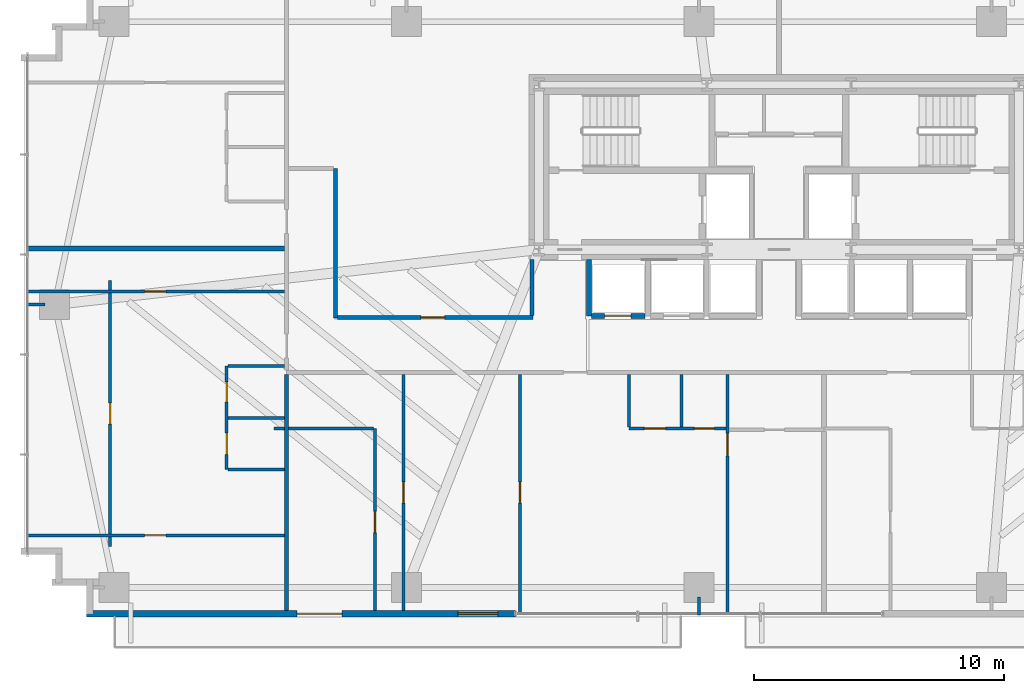
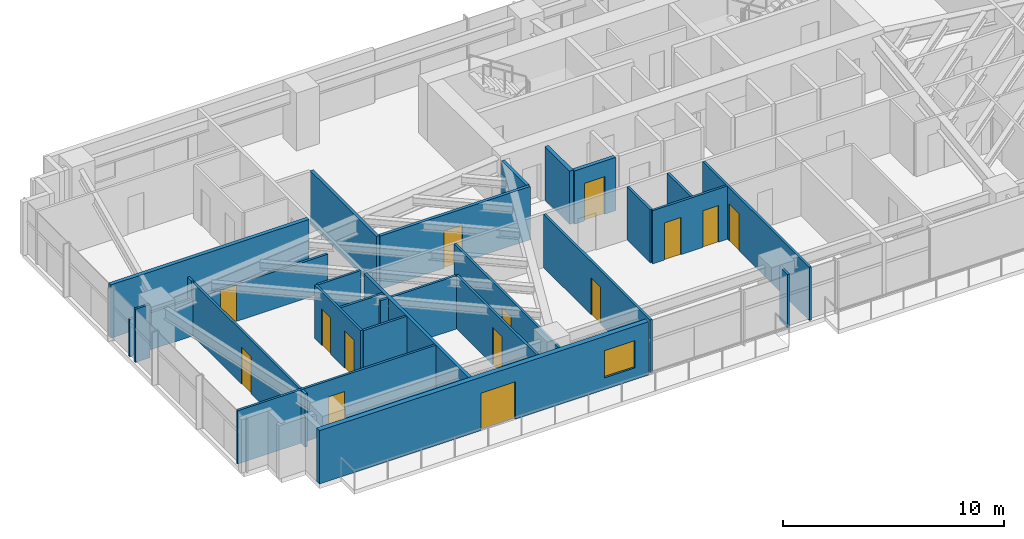
# One storey, part 19 of 25: 28 walls, 14 doors, 1 window, 15 openings.
"""IFC4 building model written with IfcOpenShell, lengths in metres."""

from ifc_helpers import new_model, si_unit, direction, frame, frame_2d, origin, place, context, subcontext, project, spatial, rectangle, extrude, source, transform, mapped, material, layer, layer_set, type_object, type_shapes, element, fill, save


model = new_model("IFC4")

# Units and contexts
model_context = context("Model", 3, precision=1e-05, world=origin(), true_north=direction((0.0, 1.0)))
body_context = subcontext(model_context, "Body", "Model", "MODEL_VIEW")
ifc_project = project(units=[si_unit("LENGTHUNIT", "METRE"), si_unit("AREAUNIT", "SQUARE_METRE"), si_unit("VOLUMEUNIT", "CUBIC_METRE"), si_unit("PLANEANGLEUNIT", "RADIAN"), si_unit("MASSUNIT", "GRAM", prefix="KILO")], contexts=[model_context])

# Site, building, storey
site_placement = place(None, origin())
site = spatial("IfcSite", under=ifc_project, at=site_placement, CompositionType="ELEMENT")
building_placement = place(site_placement, origin())
building = spatial("IfcBuilding", under=site, at=building_placement, Name="Astriad Promenade Condominiums", CompositionType="ELEMENT")
storey_placement = place(building_placement, frame((0.0, 0.0, 32.60009765625)))
storey = spatial("IfcBuildingStorey", under=building, at=storey_placement, Name="L08", CompositionType="ELEMENT", Elevation=32.60009765625)

# Walls
ifc_material_1 = material(Name="Fire-Rated Gypsum Partition")
ifc_layer_1 = layer(ifc_material_1, 0.159912109375)
ifc_layer_set_1 = layer_set([ifc_layer_1], Name="Fire-Rated Gypsum Partition")
wall_type_1 = type_object("IfcWallType", Name="WALL-CORR-160", PredefinedType="PARTITIONING", material=ifc_layer_set_1)
wall_1_placement = place(storey_placement, frame((16.300048828125, 2.9619140625, 0.0), z_axis=(0.0, 0.0, 1.0), x_axis=(0.0, 1.0, 0.0)))
element("IfcWall", 1, at=wall_1_placement, inside=storey, type_object=wall_type_1, Name="PT-COR-W-L08", PredefinedType="PARTITIONING", context=body_context, shape_type="SweptSolid", body=[
    extrude(rectangle(XDim=9.446044921875, YDim=0.159912109375, at=frame_2d((4.72314453125, 0.0))), origin(), (0.0, 0.0, 1.0), 2.93994140625),
])
wall_2_placement = place(storey_placement, frame((18.25, 14.659912109375, 0.0), z_axis=(0.0, 0.0, 1.0), x_axis=(0.0, 1.0, 0.0)))
element("IfcWall", 2, at=wall_2_placement, inside=storey, type_object=wall_type_1, Name="PT-WALC-E-L08", PredefinedType="PARTITIONING", context=body_context, shape_type="SweptSolid", body=[
    extrude(rectangle(XDim=5.989990234375, YDim=0.159912109375, at=frame_2d((2.9951171875, 0.0))), origin(), (0.0, 0.0, 1.0), 2.93994140625),
])

# Wall, opening, door
wall_3_placement = place(storey_placement, frame((18.33203125, 14.679931640625, 0.0), z_axis=(0.0, 0.0, 1.0), x_axis=(1.0, 0.0, 0.0)))
wall_3 = element("IfcWall", 3, at=wall_3_placement, inside=storey, type_object=wall_type_1, Name="PT-FLK-NW-L08", PredefinedType="PARTITIONING", context=body_context, shape_type="SweptSolid", body=[
    extrude(rectangle(XDim=7.827880859375, YDim=0.159912109375, at=frame_2d((3.9140625, 0.0))), origin(), (0.0, 0.0, 1.0), 2.93994140625),
])
opening_1_placement = place(wall_3_placement, frame((3.337890625, 0.0, 0.0)))
opening_1 = element("IfcOpeningElement", 4, at=opening_1_placement, cuts=wall_3, Name="Opening FD60-APT-095", PredefinedType="OPENING", context=body_context, shape_type="SweptSolid", body=[
    extrude(rectangle(XDim=0.949951171875, YDim=2.06005859375, at=frame_2d((0.47509765625, 1.030029296875))), frame((0.0, 0.08984375, 0.0), z_axis=(0.0, -1.0, 0.0), x_axis=(1.0, 0.0, 0.0)), (0.0, 0.0, 1.0), 0.179931640625),
])
ifc_material_2 = material(Name="Solid-Core Acoustic Timber Residence Entry Door", Category="wood")
door_type_1 = type_object("IfcDoorType", Name="FD60-APT-095", OperationType="NOTDEFINED", PredefinedType="DOOR", material=ifc_material_2)
shared_shape_1 = source(origin(), body_context, "Body", "SweptSolid", [
    extrude(rectangle(XDim=0.949951171875, YDim=2.06005859375, at=frame_2d((0.47509765625, 1.030029296875))), frame((0.0, 0.02490234375, 0.0), z_axis=(0.0, -1.0, 0.0), x_axis=(1.0, 0.0, 0.0)), (0.0, 0.0, 1.0), 0.050048828125),
])
type_shapes(door_type_1, [shared_shape_1])
door_1_placement = place(opening_1_placement, origin())
door_1 = element("IfcDoor", 5, at=door_1_placement, inside=storey, type_object=door_type_1, Name="D-NWA-L08", OperationType="SINGLE_SWING_LEFT", OverallHeight=2.06005859375, OverallWidth=0.949951171875, PredefinedType="DOOR", context=body_context, shape_type="MappedRepresentation", body=[
    mapped(shared_shape_1, transform((0.0, 0.0, 0.0), scale=1.0)),
])
fill(opening_1, door_1)

# Walls
wall_4_placement = place(storey_placement, frame((26.1201171875, 14.761962890625, 0.0), z_axis=(0.0, 0.0, 1.0), x_axis=(0.0, 1.0, 0.0)))
element("IfcWall", 6, at=wall_4_placement, inside=storey, type_object=wall_type_1, Name="PT-WSPUR-W-L08", PredefinedType="PARTITIONING", context=body_context, shape_type="SweptSolid", body=[
    extrude(rectangle(XDim=2.236083984375, YDim=0.159912109375, at=frame_2d((1.1181640625, 0.0))), origin(), (0.0, 0.0, 1.0), 2.93994140625),
])
ifc_material_3 = material(Name="Acoustic Double-Stud Gypsum Partition")
ifc_layer_2 = layer(ifc_material_3, 0.199951171875)
ifc_layer_set_2 = layer_set([ifc_layer_2], Name="Acoustic Double-Stud Gypsum Partition")
wall_type_2 = type_object("IfcWallType", Name="WALL-DEMISING-200", PredefinedType="PARTITIONING", material=ifc_layer_set_2)
wall_5_placement = place(storey_placement, frame((5.8798828125, 17.449951171875, 0.0), z_axis=(0.0, 0.0, 1.0), x_axis=(1.0, 0.0, 0.0)))
element("IfcWall", 7, at=wall_5_placement, inside=storey, type_object=wall_type_2, Name="PT-DEM-WW-L08", PredefinedType="PARTITIONING", context=body_context, shape_type="SweptSolid", body=[
    extrude(rectangle(XDim=10.338134765625, YDim=0.199951171875, at=frame_2d((5.1689453125, 0.0))), origin(), (0.0, 0.0, 1.0), 2.93994140625),
])

# Wall, openings, door, window
ifc_material_4 = material(Name="Precast concrete C50/60", Category="concrete")
ifc_layer_3 = layer(ifc_material_4, 0.260009765625)
ifc_layer_set_3 = layer_set([ifc_layer_3], Name="Precast concrete C50/60")
wall_type_3 = type_object("IfcWallType", Name="WALL-EXT-TWR-260", PredefinedType="STANDARD", material=ifc_layer_set_3)
wall_6_placement = place(storey_placement, frame((25.449951171875, 2.830078125, 0.0), z_axis=(0.0, 0.0, 1.0), x_axis=(-1.0, 0.0, 0.0)))
wall_6 = element("IfcWall", 8, at=wall_6_placement, inside=storey, type_object=wall_type_3, Name="W-EXT-L08-S2", PredefinedType="STANDARD", context=body_context, shape_type="SweptSolid", body=[
    extrude(rectangle(XDim=17.14990234375, YDim=0.260009765625, at=frame_2d((8.574951171875, 0.0))), origin(), (0.0, 0.0, 1.0), 2.93994140625),
])
opening_2_placement = place(wall_6_placement, frame((6.929931640625, 0.0, 0.0)))
opening_2 = element("IfcOpeningElement", 9, at=opening_2_placement, cuts=wall_6, Name="Opening BD-1822-SLD", PredefinedType="OPENING", context=body_context, shape_type="SweptSolid", body=[
    extrude(rectangle(XDim=1.800048828125, YDim=2.06005859375, at=frame_2d((0.89990234375, 1.030029296875))), frame((0.0, 0.139892578125, 0.0), z_axis=(0.0, -1.0, 0.0), x_axis=(1.0, 0.0, 0.0)), (0.0, 0.0, 1.0), 0.280029296875),
])
opening_3_placement = place(wall_6_placement, frame((0.699951171875, 0.0, 0.64990234375)))
opening_3 = element("IfcOpeningElement", 10, at=opening_3_placement, cuts=wall_6, Name="Opening WIN-TWR-1620", PredefinedType="OPENING", context=body_context, shape_type="SweptSolid", body=[
    extrude(rectangle(XDim=1.60009765625, YDim=1.5, at=frame_2d((0.800048828125, 0.75))), frame((0.0, 0.139892578125, 0.0), z_axis=(0.0, -1.0, 0.0), x_axis=(1.0, 0.0, 0.0)), (0.0, 0.0, 1.0), 0.280029296875),
])
ifc_material_5 = material(Name="Thermally Broken Aluminium Sliding Balcony Door", Category="aluminium")
door_type_2 = type_object("IfcDoorType", Name="BD-1822-SLD", OperationType="NOTDEFINED", PredefinedType="DOOR", material=ifc_material_5)
shared_shape_2 = source(origin(), body_context, "Body", "SweptSolid", [
    extrude(rectangle(XDim=1.800048828125, YDim=2.06005859375, at=frame_2d((0.89990234375, 1.030029296875))), frame((0.0, 0.02490234375, 0.0), z_axis=(0.0, -1.0, 0.0), x_axis=(1.0, 0.0, 0.0)), (0.0, 0.0, 1.0), 0.050048828125),
])
type_shapes(door_type_2, [shared_shape_2])
door_2_placement = place(opening_2_placement, origin())
door_2 = element("IfcDoor", 11, at=door_2_placement, inside=storey, type_object=door_type_2, Name="BD-L08-SW", OperationType="SLIDING_TO_LEFT", OverallHeight=2.06005859375, OverallWidth=1.800048828125, PredefinedType="DOOR", context=body_context, shape_type="MappedRepresentation", body=[
    mapped(shared_shape_2, transform((0.0, 0.0, 0.0), scale=1.0)),
])
fill(opening_2, door_2)
ifc_material_6 = material(Name="Dark Tinted Triple-Glazed Aluminium Window", Category="aluminium")
window_type = type_object("IfcWindowType", Name="WIN-TWR-1620", PartitioningType="SINGLE_PANEL", PredefinedType="WINDOW", material=ifc_material_6)
shared_shape_3 = source(origin(), body_context, "Body", "SweptSolid", [
    extrude(rectangle(XDim=1.60009765625, YDim=1.5, at=frame_2d((0.800048828125, 0.75))), frame((0.0, 0.030029296875, 0.0), z_axis=(0.0, -1.0, 0.0), x_axis=(1.0, 0.0, 0.0)), (0.0, 0.0, 1.0), 0.06005859375),
])
type_shapes(window_type, [shared_shape_3])
window_placement = place(opening_3_placement, origin())
window = element("IfcWindow", 12, at=window_placement, inside=storey, type_object=window_type, Name="WIN-L08-SW", OverallHeight=1.5, OverallWidth=1.60009765625, PartitioningType="SINGLE_PANEL", PredefinedType="WINDOW", context=body_context, shape_type="MappedRepresentation", body=[
    mapped(shared_shape_3, transform((0.0, 0.0, 0.0), scale=1.0)),
])
fill(opening_3, window)

# Wall, opening, door
ifc_material_7 = material(Name="Acoustic Metal-Stud Gypsum Partition")
ifc_layer_4 = layer(ifc_material_7, 0.1201171875)
ifc_layer_set_4 = layer_set([ifc_layer_4], Name="Acoustic Metal-Stud Gypsum Partition")
wall_type_4 = type_object("IfcWallType", Name="WALL-PART-120", PredefinedType="PARTITIONING", material=ifc_layer_set_4)
wall_7_placement = place(storey_placement, frame((33.944091796875, 2.780029296875, 0.0), z_axis=(0.0, 0.0, 1.0), x_axis=(0.0, 1.0, 0.0)))
wall_7 = element("IfcWall", 13, at=wall_7_placement, inside=storey, type_object=wall_type_4, Name="PT-L08-S1-BD1", PredefinedType="PARTITIONING", context=body_context, shape_type="SweptSolid", body=[
    extrude(rectangle(XDim=9.6279296875, YDim=0.1201171875, at=frame_2d((4.81396484375, 0.0))), origin(), (0.0, 0.0, 1.0), 2.93994140625),
])
opening_4_placement = place(wall_7_placement, frame((6.360107421875, 0.0, 0.0)))
opening_4 = element("IfcOpeningElement", 14, at=opening_4_placement, cuts=wall_7, Name="Opening D-INT-090", PredefinedType="OPENING", context=body_context, shape_type="SweptSolid", body=[
    extrude(rectangle(XDim=0.89990234375, YDim=2.050048828125, at=frame_2d((0.449951171875, 1.02490234375))), frame((0.0, 0.070068359375, 0.0), z_axis=(0.0, -1.0, 0.0), x_axis=(1.0, 0.0, 0.0)), (0.0, 0.0, 1.0), 0.14013671875),
])
ifc_material_8 = material(Name="Painted Solid-Core Timber Bedroom Door", Category="wood")
door_type_3 = type_object("IfcDoorType", Name="D-INT-090", OperationType="NOTDEFINED", PredefinedType="DOOR", material=ifc_material_8)
shared_shape_4 = source(origin(), body_context, "Body", "SweptSolid", [
    extrude(rectangle(XDim=0.89990234375, YDim=2.050048828125, at=frame_2d((0.449951171875, 1.02490234375))), frame((0.0, 0.02490234375, 0.0), z_axis=(0.0, -1.0, 0.0), x_axis=(1.0, 0.0, 0.0)), (0.0, 0.0, 1.0), 0.050048828125),
])
type_shapes(door_type_3, [shared_shape_4])
door_3_placement = place(opening_4_placement, origin())
door_3 = element("IfcDoor", 15, at=door_3_placement, inside=storey, type_object=door_type_3, Name="D-BD1-L08-S1", OperationType="SINGLE_SWING_RIGHT", OverallHeight=2.050048828125, OverallWidth=0.89990234375, PredefinedType="DOOR", context=body_context, shape_type="MappedRepresentation", body=[
    mapped(shared_shape_4, transform((0.0, 0.0, 0.0), scale=1.0)),
])
fill(opening_4, door_3)

# Wall, openings, doors
wall_8_placement = place(storey_placement, frame((29.993896484375, 10.239990234375, 0.0), z_axis=(0.0, 0.0, 1.0), x_axis=(1.0, 0.0, 0.0)))
wall_8 = element("IfcWall", 16, at=wall_8_placement, inside=storey, type_object=wall_type_4, Name="PT-L08-S1-PS", PredefinedType="PARTITIONING", context=body_context, shape_type="SweptSolid", body=[
    extrude(rectangle(XDim=3.88818359375, YDim=0.1201171875, at=frame_2d((1.944091796875, 0.0))), origin(), (0.0, 0.0, 1.0), 2.93994140625),
])
opening_5_placement = place(wall_8_placement, frame((0.625, 0.0, 0.0)))
opening_5 = element("IfcOpeningElement", 17, at=opening_5_placement, cuts=wall_8, Name="Opening D-INT-085", PredefinedType="OPENING", context=body_context, shape_type="SweptSolid", body=[
    extrude(rectangle(XDim=0.85009765625, YDim=2.050048828125, at=frame_2d((0.425048828125, 1.02490234375))), frame((0.0, 0.070068359375, 0.0), z_axis=(0.0, -1.0, 0.0), x_axis=(1.0, 0.0, 0.0)), (0.0, 0.0, 1.0), 0.14013671875),
])
opening_6_placement = place(wall_8_placement, frame((2.625, 0.0, 0.0)))
opening_6 = element("IfcOpeningElement", 18, at=opening_6_placement, cuts=wall_8, Name="Opening D-WET-080", PredefinedType="OPENING", context=body_context, shape_type="SweptSolid", body=[
    extrude(rectangle(XDim=0.800048828125, YDim=2.02001953125, at=frame_2d((0.39990234375, 1.010009765625))), frame((0.0, 0.070068359375, 0.0), z_axis=(0.0, -1.0, 0.0), x_axis=(1.0, 0.0, 0.0)), (0.0, 0.0, 1.0), 0.14013671875),
])
ifc_material_9 = material(Name="Moisture-Resistant Timber Bathroom Door", Category="wood")
door_type_4 = type_object("IfcDoorType", Name="D-WET-080", OperationType="NOTDEFINED", PredefinedType="DOOR", material=ifc_material_9)
shared_shape_5 = source(origin(), body_context, "Body", "SweptSolid", [
    extrude(rectangle(XDim=0.800048828125, YDim=2.02001953125, at=frame_2d((0.39990234375, 1.010009765625))), frame((0.0, 0.02490234375, 0.0), z_axis=(0.0, -1.0, 0.0), x_axis=(1.0, 0.0, 0.0)), (0.0, 0.0, 1.0), 0.050048828125),
])
type_shapes(door_type_4, [shared_shape_5])
door_4_placement = place(opening_6_placement, origin())
door_4 = element("IfcDoor", 19, at=door_4_placement, inside=storey, type_object=door_type_4, Name="D-BTH-L08-S1", OperationType="SINGLE_SWING_RIGHT", OverallHeight=2.02001953125, OverallWidth=0.800048828125, PredefinedType="DOOR", context=body_context, shape_type="MappedRepresentation", body=[
    mapped(shared_shape_5, transform((0.0, 0.0, 0.0), scale=1.0)),
])
fill(opening_6, door_4)
ifc_material_10 = material(Name="Painted Solid-Core Timber Room Door", Category="wood")
door_type_5 = type_object("IfcDoorType", Name="D-INT-085", OperationType="NOTDEFINED", PredefinedType="DOOR", material=ifc_material_10)
shared_shape_6 = source(origin(), body_context, "Body", "SweptSolid", [
    extrude(rectangle(XDim=0.85009765625, YDim=2.050048828125, at=frame_2d((0.425048828125, 1.02490234375))), frame((0.0, 0.02490234375, 0.0), z_axis=(0.0, -1.0, 0.0), x_axis=(1.0, 0.0, 0.0)), (0.0, 0.0, 1.0), 0.050048828125),
])
type_shapes(door_type_5, [shared_shape_6])
door_5_placement = place(opening_5_placement, origin())
door_5 = element("IfcDoor", 20, at=door_5_placement, inside=storey, type_object=door_type_5, Name="D-KIT-L08-S1", OperationType="SINGLE_SWING_LEFT", OverallHeight=2.050048828125, OverallWidth=0.85009765625, PredefinedType="DOOR", context=body_context, shape_type="MappedRepresentation", body=[
    mapped(shared_shape_6, transform((0.0, 0.0, 0.0), scale=1.0)),
])
fill(opening_5, door_5)

# Walls
for number, where, z_axis, x_axis, name in (
    (21, (32.093994140625, 10.302001953125, 0.0), (0.0, 0.0, 1.0), (0.0, 1.0, 0.0), "PT-L08-S1-PBK"),
    (22, (29.993896484375, 10.302001953125, 0.0), (0.0, 0.0, 1.0), (0.0, 1.0, 0.0), "PT-L08-S1-PKW"),
):
    element("IfcWall", number, at=place(storey_placement, frame(where, z_axis=z_axis, x_axis=x_axis)), inside=storey, type_object=wall_type_4, Name=name, PredefinedType="PARTITIONING", context=body_context, shape_type="SweptSolid", body=[
        extrude(rectangle(XDim=2.10595703125, YDim=0.1201171875, at=frame_2d((1.052978515625, 0.0))), origin(), (0.0, 0.0, 1.0), 2.93994140625),
    ])

# Wall, opening, door
wall_9_placement = place(storey_placement, frame((19.830078125, 2.9619140625, 0.0), z_axis=(0.0, 0.0, 1.0), x_axis=(0.0, 1.0, 0.0)))
wall_9 = element("IfcWall", 23, at=wall_9_placement, inside=storey, type_object=wall_type_4, Name="PT-L08-S1-EXV", PredefinedType="PARTITIONING", context=body_context, shape_type="SweptSolid", body=[
    extrude(rectangle(XDim=7.278076171875, YDim=0.1201171875, at=frame_2d((3.63916015625, 0.0))), origin(), (0.0, 0.0, 1.0), 2.93994140625),
])
opening_7_placement = place(wall_9_placement, frame((3.113037109375, 0.0, 0.0)))
opening_7 = element("IfcOpeningElement", 24, at=opening_7_placement, cuts=wall_9, Name="Opening D-INT-085", PredefinedType="OPENING", context=body_context, shape_type="SweptSolid", body=[
    extrude(rectangle(XDim=0.85009765625, YDim=2.050048828125, at=frame_2d((0.425048828125, 1.02490234375))), frame((0.0, 0.070068359375, 0.0), z_axis=(0.0, -1.0, 0.0), x_axis=(1.0, 0.0, 0.0)), (0.0, 0.0, 1.0), 0.14013671875),
])
door_6_placement = place(opening_7_placement, origin())
door_6 = element("IfcDoor", 25, at=door_6_placement, inside=storey, type_object=door_type_5, Name="D-EX-L08-S1", OperationType="SINGLE_SWING_RIGHT", OverallHeight=2.050048828125, OverallWidth=0.85009765625, PredefinedType="DOOR", context=body_context, shape_type="MappedRepresentation", body=[
    mapped(shared_shape_6, transform((0.0, 0.0, 0.0), scale=1.0)),
])
fill(opening_7, door_6)

# Walls
wall_10_placement = place(storey_placement, frame((15.800048828125, 10.239990234375, 0.0), z_axis=(0.0, 0.0, 1.0), x_axis=(1.0, 0.0, 0.0)))
element("IfcWall", 26, at=wall_10_placement, inside=storey, type_object=wall_type_4, Name="PT-L08-S1-EXH", PredefinedType="PARTITIONING", context=body_context, shape_type="SweptSolid", body=[
    extrude(rectangle(XDim=0.41796875, YDim=0.1201171875, at=frame_2d((0.208984375, 0.0))), origin(), (0.0, 0.0, 1.0), 2.93994140625),
])
wall_11_placement = place(storey_placement, frame((16.382080078125, 10.239990234375, 0.0), z_axis=(0.0, 0.0, 1.0), x_axis=(1.0, 0.0, 0.0)))
element("IfcWall", 27, at=wall_11_placement, inside=storey, type_object=wall_type_4, Name="PT-L08-S1-EXH-S2", PredefinedType="PARTITIONING", context=body_context, shape_type="SweptSolid", body=[
    extrude(rectangle(XDim=3.385986328125, YDim=0.1201171875, at=frame_2d((1.69287109375, 0.0))), origin(), (0.0, 0.0, 1.0), 2.93994140625),
])

# Wall, opening, door
wall_12_placement = place(storey_placement, frame((20.97998046875, 2.9619140625, 0.0), z_axis=(0.0, 0.0, 1.0), x_axis=(0.0, 1.0, 0.0)))
wall_12 = element("IfcWall", 28, at=wall_12_placement, inside=storey, type_object=wall_type_4, Name="PT-L08-S1-CAP1", PredefinedType="PARTITIONING", context=body_context, shape_type="SweptSolid", body=[
    extrude(rectangle(XDim=9.446044921875, YDim=0.1201171875, at=frame_2d((4.72314453125, 0.0))), origin(), (0.0, 0.0, 1.0), 2.93994140625),
])
opening_8_placement = place(wall_12_placement, frame((4.2880859375, 0.0, 0.0)))
opening_8 = element("IfcOpeningElement", 29, at=opening_8_placement, cuts=wall_12, Name="Opening D-INT-085", PredefinedType="OPENING", context=body_context, shape_type="SweptSolid", body=[
    extrude(rectangle(XDim=0.85009765625, YDim=2.050048828125, at=frame_2d((0.425048828125, 1.02490234375))), frame((0.0, 0.070068359375, 0.0), z_axis=(0.0, -1.0, 0.0), x_axis=(1.0, 0.0, 0.0)), (0.0, 0.0, 1.0), 0.14013671875),
])
door_7_placement = place(opening_8_placement, origin())
door_7 = element("IfcDoor", 30, at=door_7_placement, inside=storey, type_object=door_type_5, Name="D-CAP1-L08-S1", OperationType="SINGLE_SWING_LEFT", OverallHeight=2.050048828125, OverallWidth=0.85009765625, PredefinedType="DOOR", context=body_context, shape_type="MappedRepresentation", body=[
    mapped(shared_shape_6, transform((0.0, 0.0, 0.0), scale=1.0)),
])
fill(opening_8, door_7)

wall_13_placement = place(storey_placement, frame((25.639892578125, 2.780029296875, 0.0), z_axis=(0.0, 0.0, 1.0), x_axis=(0.0, 1.0, 0.0)))
wall_13 = element("IfcWall", 31, at=wall_13_placement, inside=storey, type_object=wall_type_4, Name="PT-L08-S1-CAP2", PredefinedType="PARTITIONING", context=body_context, shape_type="SweptSolid", body=[
    extrude(rectangle(XDim=9.6279296875, YDim=0.1201171875, at=frame_2d((4.81396484375, 0.0))), origin(), (0.0, 0.0, 1.0), 2.93994140625),
])
opening_9_placement = place(wall_13_placement, frame((4.469970703125, 0.0, 0.0)))
opening_9 = element("IfcOpeningElement", 32, at=opening_9_placement, cuts=wall_13, Name="Opening D-INT-085", PredefinedType="OPENING", context=body_context, shape_type="SweptSolid", body=[
    extrude(rectangle(XDim=0.85009765625, YDim=2.050048828125, at=frame_2d((0.425048828125, 1.02490234375))), frame((0.0, 0.070068359375, 0.0), z_axis=(0.0, -1.0, 0.0), x_axis=(1.0, 0.0, 0.0)), (0.0, 0.0, 1.0), 0.14013671875),
])
door_8_placement = place(opening_9_placement, origin())
door_8 = element("IfcDoor", 33, at=door_8_placement, inside=storey, type_object=door_type_5, Name="D-CAP2-L08-S1", OperationType="SINGLE_SWING_RIGHT", OverallHeight=2.050048828125, OverallWidth=0.85009765625, PredefinedType="DOOR", context=body_context, shape_type="MappedRepresentation", body=[
    mapped(shared_shape_6, transform((0.0, 0.0, 0.0), scale=1.0)),
])
fill(opening_9, door_8)

# Wall, openings, doors
wall_14_placement = place(storey_placement, frame((13.89990234375, 8.590087890625, 0.0), z_axis=(0.0, 0.0, 1.0), x_axis=(0.0, 1.0, 0.0)))
wall_14 = element("IfcWall", 34, at=wall_14_placement, inside=storey, type_object=wall_type_4, Name="PT-L08-W1-PV", PredefinedType="PARTITIONING", context=body_context, shape_type="SweptSolid", body=[
    extrude(rectangle(XDim=4.14990234375, YDim=0.1201171875, at=frame_2d((2.074951171875, 0.0))), origin(), (0.0, 0.0, 1.0), 2.93994140625),
])
opening_10_placement = place(wall_14_placement, frame((0.612060546875, 0.0, 0.0)))
opening_10 = element("IfcOpeningElement", 35, at=opening_10_placement, cuts=wall_14, Name="Opening D-INT-085", PredefinedType="OPENING", context=body_context, shape_type="SweptSolid", body=[
    extrude(rectangle(XDim=0.85009765625, YDim=2.050048828125, at=frame_2d((0.425048828125, 1.02490234375))), frame((0.0, 0.070068359375, 0.0), z_axis=(0.0, -1.0, 0.0), x_axis=(1.0, 0.0, 0.0)), (0.0, 0.0, 1.0), 0.14013671875),
])
opening_11_placement = place(wall_14_placement, frame((2.712890625, 0.0, 0.0)))
opening_11 = element("IfcOpeningElement", 36, at=opening_11_placement, cuts=wall_14, Name="Opening D-WET-080", PredefinedType="OPENING", context=body_context, shape_type="SweptSolid", body=[
    extrude(rectangle(XDim=0.800048828125, YDim=2.02001953125, at=frame_2d((0.39990234375, 1.010009765625))), frame((0.0, 0.070068359375, 0.0), z_axis=(0.0, -1.0, 0.0), x_axis=(1.0, 0.0, 0.0)), (0.0, 0.0, 1.0), 0.14013671875),
])
door_9_placement = place(opening_11_placement, origin())
door_9 = element("IfcDoor", 37, at=door_9_placement, inside=storey, type_object=door_type_4, Name="D-BTH-L08-W1", OperationType="SINGLE_SWING_LEFT", OverallHeight=2.02001953125, OverallWidth=0.800048828125, PredefinedType="DOOR", context=body_context, shape_type="MappedRepresentation", body=[
    mapped(shared_shape_5, transform((0.0, 0.0, 0.0), scale=1.0)),
])
fill(opening_11, door_9)
door_10_placement = place(opening_10_placement, origin())
door_10 = element("IfcDoor", 38, at=door_10_placement, inside=storey, type_object=door_type_5, Name="D-KIT-L08-W1", OperationType="SINGLE_SWING_RIGHT", OverallHeight=2.050048828125, OverallWidth=0.85009765625, PredefinedType="DOOR", context=body_context, shape_type="MappedRepresentation", body=[
    mapped(shared_shape_6, transform((0.0, 0.0, 0.0), scale=1.0)),
])
fill(opening_10, door_10)

# Walls
for number, where, z_axis, x_axis, name in (
    (39, (13.9619140625, 10.6650390625, 0.0), (0.0, 0.0, 1.0), (1.0, 0.0, 0.0), "PT-L08-W1-PM"),
    (40, (13.9619140625, 8.590087890625, 0.0), (0.0, 0.0, 1.0), (1.0, 0.0, 0.0), "PT-L08-W1-PS"),
    (41, (13.9619140625, 12.739990234375, 0.0), (0.0, 0.0, 1.0), (1.0, 0.0, 0.0), "PT-L08-W1-PN"),
):
    element("IfcWall", number, at=place(storey_placement, frame(where, z_axis=z_axis, x_axis=x_axis)), inside=storey, type_object=wall_type_4, Name=name, PredefinedType="PARTITIONING", context=body_context, shape_type="SweptSolid", body=[
        extrude(rectangle(XDim=2.256103515625, YDim=0.1201171875, at=frame_2d((1.1279296875, 0.0))), origin(), (0.0, 0.0, 1.0), 2.93994140625),
    ])

# Wall, opening, door
wall_15_placement = place(storey_placement, frame((5.8798828125, 5.966064453125, 0.0), z_axis=(0.0, 0.0, 1.0), x_axis=(1.0, 0.0, 0.0)))
wall_15 = element("IfcWall", 42, at=wall_15_placement, inside=storey, type_object=wall_type_4, Name="PT-L08-W1-WDS1", PredefinedType="PARTITIONING", context=body_context, shape_type="SweptSolid", body=[
    extrude(rectangle(XDim=10.338134765625, YDim=0.1201171875, at=frame_2d((5.1689453125, 0.0))), origin(), (0.0, 0.0, 1.0), 2.93994140625),
])
opening_12_placement = place(wall_15_placement, frame((4.735107421875, 0.0, 0.0)))
opening_12 = element("IfcOpeningElement", 43, at=opening_12_placement, cuts=wall_15, Name="Opening D-INT-085", PredefinedType="OPENING", context=body_context, shape_type="SweptSolid", body=[
    extrude(rectangle(XDim=0.85009765625, YDim=2.050048828125, at=frame_2d((0.425048828125, 1.02490234375))), frame((0.0, 0.070068359375, 0.0), z_axis=(0.0, -1.0, 0.0), x_axis=(1.0, 0.0, 0.0)), (0.0, 0.0, 1.0), 0.14013671875),
])
door_11_placement = place(opening_12_placement, origin())
door_11 = element("IfcDoor", 44, at=door_11_placement, inside=storey, type_object=door_type_5, Name="D-WDS1-L08-W1", OperationType="SINGLE_SWING_RIGHT", OverallHeight=2.050048828125, OverallWidth=0.85009765625, PredefinedType="DOOR", context=body_context, shape_type="MappedRepresentation", body=[
    mapped(shared_shape_6, transform((0.0, 0.0, 0.0), scale=1.0)),
])
fill(opening_12, door_11)

wall_16_placement = place(storey_placement, frame((5.8798828125, 15.721923828125, 0.0), z_axis=(0.0, 0.0, 1.0), x_axis=(1.0, 0.0, 0.0)))
wall_16 = element("IfcWall", 45, at=wall_16_placement, inside=storey, type_object=wall_type_4, Name="PT-L08-W1-WDN2", PredefinedType="PARTITIONING", context=body_context, shape_type="SweptSolid", body=[
    extrude(rectangle(XDim=10.338134765625, YDim=0.1201171875, at=frame_2d((5.1689453125, 0.0))), origin(), (0.0, 0.0, 1.0), 2.044921875),
])
opening_13_placement = place(wall_16_placement, frame((4.735107421875, 0.0, 0.0)))
opening_13 = element("IfcOpeningElement", 46, at=opening_13_placement, cuts=wall_16, Name="Opening D-LOW-085", PredefinedType="OPENING", context=body_context, shape_type="SweptSolid", body=[
    extrude(rectangle(XDim=0.85009765625, YDim=2.010009765625, at=frame_2d((0.425048828125, 1.0048828125))), frame((0.0, 0.070068359375, 0.0), z_axis=(0.0, -1.0, 0.0), x_axis=(1.0, 0.0, 0.0)), (0.0, 0.0, 1.0), 0.14013671875),
])
ifc_material_11 = material(Name="Painted Timber Under-Girder Room Door", Category="wood")
door_type_6 = type_object("IfcDoorType", Name="D-LOW-085", OperationType="NOTDEFINED", PredefinedType="DOOR", material=ifc_material_11)
shared_shape_7 = source(origin(), body_context, "Body", "SweptSolid", [
    extrude(rectangle(XDim=0.85009765625, YDim=2.010009765625, at=frame_2d((0.425048828125, 1.0048828125))), frame((0.0, 0.02490234375, 0.0), z_axis=(0.0, -1.0, 0.0), x_axis=(1.0, 0.0, 0.0)), (0.0, 0.0, 1.0), 0.050048828125),
])
type_shapes(door_type_6, [shared_shape_7])
door_12_placement = place(opening_13_placement, origin())
door_12 = element("IfcDoor", 47, at=door_12_placement, inside=storey, type_object=door_type_6, Name="D-WDN2-L08-W1", OperationType="SINGLE_SWING_LEFT", OverallHeight=2.010009765625, OverallWidth=0.85009765625, PredefinedType="DOOR", context=body_context, shape_type="MappedRepresentation", body=[
    mapped(shared_shape_7, transform((0.0, 0.0, 0.0), scale=1.0)),
])
fill(opening_13, door_12)

# Wall
wall_17_placement = place(storey_placement, frame((9.237060546875, 5.52587890625, 0.0), z_axis=(0.0, 0.0, 1.0), x_axis=(0.0, 1.0, 0.0)))
element("IfcWall", 48, at=wall_17_placement, inside=storey, type_object=wall_type_4, Name="PT-L08-W1-WDV3", PredefinedType="PARTITIONING", context=body_context, shape_type="SweptSolid", body=[
    extrude(rectangle(XDim=0.378173828125, YDim=0.1201171875, at=frame_2d((0.18896484375, 0.0))), origin(), (0.0, 0.0, 1.0), 2.93994140625),
])

# Wall, opening, door
wall_18_placement = place(storey_placement, frame((9.237060546875, 6.028076171875, 0.0), z_axis=(0.0, 0.0, 1.0), x_axis=(0.0, 1.0, 0.0)))
wall_18 = element("IfcWall", 49, at=wall_18_placement, inside=storey, type_object=wall_type_4, Name="PT-L08-W1-WDV3-S2", PredefinedType="PARTITIONING", context=body_context, shape_type="SweptSolid", body=[
    extrude(rectangle(XDim=9.6318359375, YDim=0.1201171875, at=frame_2d((4.81591796875, 0.0))), origin(), (0.0, 0.0, 1.0), 2.93994140625),
])
opening_14_placement = place(wall_18_placement, frame((4.39111328125, 0.0, 0.0)))
opening_14 = element("IfcOpeningElement", 50, at=opening_14_placement, cuts=wall_18, Name="Opening D-INT-085", PredefinedType="OPENING", context=body_context, shape_type="SweptSolid", body=[
    extrude(rectangle(XDim=0.85009765625, YDim=2.050048828125, at=frame_2d((0.425048828125, 1.02490234375))), frame((0.0, 0.070068359375, 0.0), z_axis=(0.0, -1.0, 0.0), x_axis=(1.0, 0.0, 0.0)), (0.0, 0.0, 1.0), 0.14013671875),
])
door_13_placement = place(opening_14_placement, origin())
door_13 = element("IfcDoor", 51, at=door_13_placement, inside=storey, type_object=door_type_5, Name="D-WDV3-L08-W1", OperationType="SINGLE_SWING_RIGHT", OverallHeight=2.050048828125, OverallWidth=0.85009765625, PredefinedType="DOOR", context=body_context, shape_type="MappedRepresentation", body=[
    mapped(shared_shape_6, transform((0.0, 0.0, 0.0), scale=1.0)),
])
fill(opening_14, door_13)

# Walls
wall_19_placement = place(storey_placement, frame((9.237060546875, 15.783935546875, 0.0), z_axis=(0.0, 0.0, 1.0), x_axis=(0.0, 1.0, 0.0)))
element("IfcWall", 52, at=wall_19_placement, inside=storey, type_object=wall_type_4, Name="PT-L08-W1-WDV3-S3", PredefinedType="PARTITIONING", context=body_context, shape_type="SweptSolid", body=[
    extrude(rectangle(XDim=0.378173828125, YDim=0.1201171875, at=frame_2d((0.18896484375, 0.0))), origin(), (0.0, 0.0, 1.0), 2.93994140625),
])
wall_20_placement = place(storey_placement, frame((32.800048828125, 3.5, 0.0), z_axis=(0.0, 0.0, 1.0), x_axis=(0.0, -1.0, 0.0)))
element("IfcWall", 53, at=wall_20_placement, inside=storey, type_object=wall_type_4, Name="PT-PIL-L08-PC03-10", PredefinedType="PARTITIONING", context=body_context, shape_type="SweptSolid", body=[
    extrude(rectangle(XDim=0.719970703125, YDim=0.1201171875, at=frame_2d((0.35986328125, 0.0))), origin(), (0.0, 0.0, 1.0), 2.93994140625),
])
wall_21_placement = place(storey_placement, frame((6.639892578125, 15.199951171875, 0.0), z_axis=(0.0, 0.0, 1.0), x_axis=(-1.0, 0.0, 0.0)))
element("IfcWall", 54, at=wall_21_placement, inside=storey, type_object=wall_type_4, Name="PT-PIL-L08-PC11-18", PredefinedType="PARTITIONING", context=body_context, shape_type="SweptSolid", body=[
    extrude(rectangle(XDim=0.760009765625, YDim=0.1201171875, at=frame_2d((0.3798828125, 0.0))), origin(), (0.0, 0.0, 1.0), 2.93994140625),
])
ifc_material_12 = material(Name="Gypsum Shaftliner Assembly")
ifc_layer_5 = layer(ifc_material_12, 0.199951171875)
ifc_layer_set_5 = layer_set([ifc_layer_5], Name="Gypsum Shaftliner Assembly")
wall_type_5 = type_object("IfcWallType", Name="WALL-SHAFT-200", PredefinedType="PARTITIONING", material=ifc_layer_set_5)
wall_22_placement = place(storey_placement, frame((28.39990234375, 14.75, 0.0), z_axis=(0.0, 0.0, 1.0), x_axis=(0.0, 1.0, 0.0)))
element("IfcWall", 55, at=wall_22_placement, inside=storey, type_object=wall_type_5, Name="PL-W-OUT-L08", PredefinedType="PARTITIONING", context=body_context, shape_type="SweptSolid", body=[
    extrude(rectangle(XDim=2.248046875, YDim=0.199951171875, at=frame_2d((1.1240234375, 0.0))), origin(), (0.0, 0.0, 1.0), 2.93994140625),
])

# Wall, opening, door
wall_23_placement = place(storey_placement, frame((28.501953125, 14.75, 0.0), z_axis=(0.0, 0.0, 1.0), x_axis=(1.0, 0.0, 0.0)))
wall_23 = element("IfcWall", 56, at=wall_23_placement, inside=storey, type_object=wall_type_5, Name="PL-L-FRT-L08", PredefinedType="PARTITIONING", context=body_context, shape_type="SweptSolid", body=[
    extrude(rectangle(XDim=2.14599609375, YDim=0.199951171875, at=frame_2d((1.072998046875, 0.0))), origin(), (0.0, 0.0, 1.0), 2.93994140625),
])
opening_15_placement = place(wall_23_placement, frame((0.52294921875, 0.0, 0.0)))
opening_15 = element("IfcOpeningElement", 57, at=opening_15_placement, cuts=wall_23, Name="Opening LD-PL-10522", PredefinedType="OPENING", context=body_context, shape_type="SweptSolid", body=[
    extrude(rectangle(XDim=1.050048828125, YDim=2.080078125, at=frame_2d((0.52490234375, 1.0400390625))), frame((0.0, 0.10986328125, 0.0), z_axis=(0.0, -1.0, 0.0), x_axis=(1.0, 0.0, 0.0)), (0.0, 0.0, 1.0), 0.219970703125),
])
ifc_material_13 = material(Name="Brushed Bronze Passenger Elevator Landing Door")
door_type_7 = type_object("IfcDoorType", Name="LD-PL-10522", OperationType="NOTDEFINED", PredefinedType="DOOR", material=ifc_material_13)
shared_shape_8 = source(origin(), body_context, "Body", "SweptSolid", [
    extrude(rectangle(XDim=1.050048828125, YDim=2.080078125, at=frame_2d((0.52490234375, 1.0400390625))), frame((0.0, 0.02490234375, 0.0), z_axis=(0.0, -1.0, 0.0), x_axis=(1.0, 0.0, 0.0)), (0.0, 0.0, 1.0), 0.050048828125),
])
type_shapes(door_type_7, [shared_shape_8])
door_14_placement = place(opening_15_placement, origin())
door_14 = element("IfcDoor", 58, at=door_14_placement, inside=storey, type_object=door_type_7, Name="Elevator Landing Door PL-L1 (L08)", OperationType="SLIDING_TO_LEFT", OverallHeight=2.080078125, OverallWidth=1.050048828125, PredefinedType="DOOR", context=body_context, shape_type="MappedRepresentation", body=[
    mapped(shared_shape_8, transform((0.0, 0.0, 0.0), scale=1.0)),
])
fill(opening_15, door_14)

save(model, "model.ifc")
